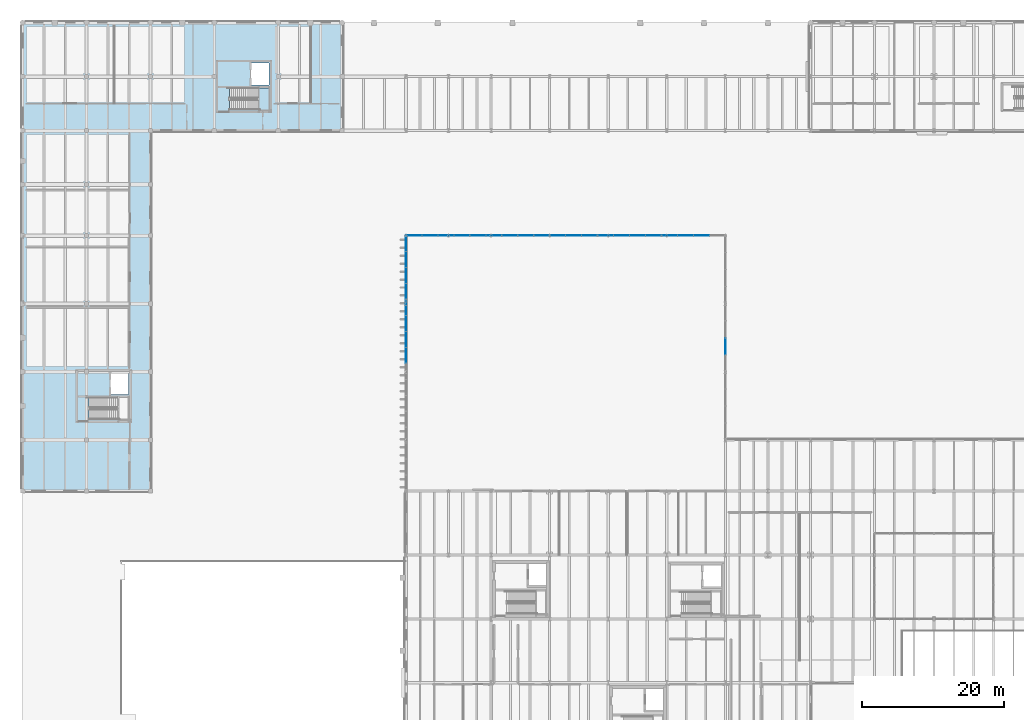
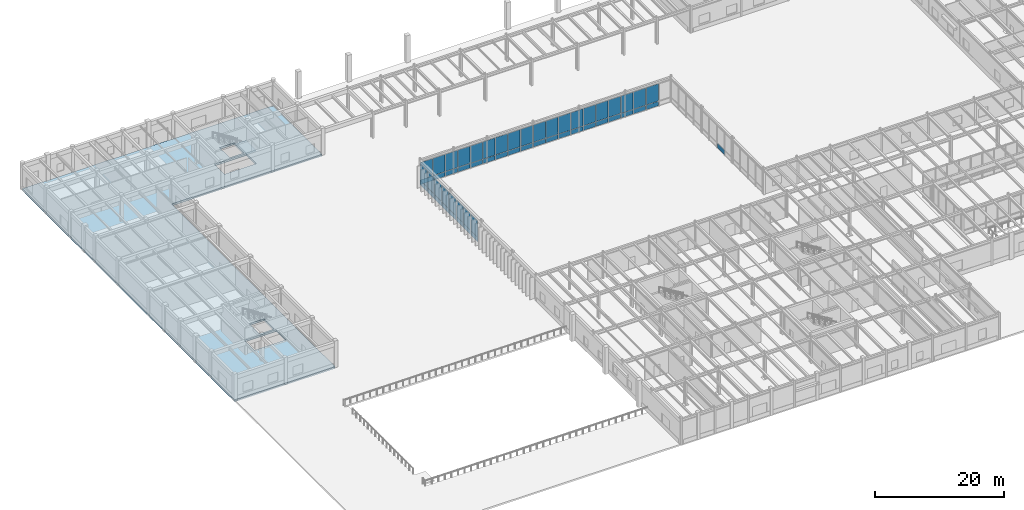
# One storey, part 35 of 64: 55 plates, 2 slabs, 4 openings, 9 elements without a shape of their own.
"""IFC4 building model written with IfcOpenShell, lengths in metres."""

from ifc_helpers import new_model, si_unit, direction, frame, origin, origin_2d, place, context, subcontext, project, spatial, polyline, rectangle, outline, extrude, material, layer, layer_set, type_object, element, aggregate, save


model = new_model("IFC4")

# Units and contexts
model_context = context("Model", 3, precision=1e-05, world=origin(), true_north=direction((0.0, 1.0)))
body_context = subcontext(model_context, "Body", "Model", "MODEL_VIEW")
ifc_project = project(units=[si_unit("LENGTHUNIT", "METRE"), si_unit("AREAUNIT", "SQUARE_METRE"), si_unit("VOLUMEUNIT", "CUBIC_METRE"), si_unit("PLANEANGLEUNIT", "RADIAN"), si_unit("MASSUNIT", "GRAM", prefix="KILO")], contexts=[model_context])

# Site, building, storey
site_placement = place(None, origin())
site = spatial("IfcSite", under=ifc_project, at=site_placement, CompositionType="ELEMENT")
building_placement = place(site_placement, origin())
building = spatial("IfcBuilding", under=site, at=building_placement, Name="Montealbar Specialist Clinic", CompositionType="ELEMENT")
storey_placement = place(building_placement, origin())
storey = spatial("IfcBuildingStorey", under=building, at=storey_placement, Name="L00", CompositionType="ELEMENT", Elevation=0.0)

# Curtain wall, plates
ifc_material_1 = material(Name="Low-E double glazing", Category="glass")
ifc_layer_1 = layer(ifc_material_1, 0.199951171875, Name="Low-E double glazing", Category="glass")
ifc_layer_set_1 = layer_set([ifc_layer_1], Name="Low-E double glazing")
curtain_wall_type_1 = type_object("IfcCurtainWallType", Name="CW-TYPE-01", PredefinedType="NOTDEFINED", material=ifc_layer_set_1)
curtain_wall_1_placement = place(storey_placement, origin())
curtain_wall_1 = element("IfcCurtainWall", 1, at=curtain_wall_1_placement, inside=storey, type_object=curtain_wall_type_1, Name="Unitised Curtain Wall CW-L00-540-630-540-720-0", PredefinedType="NOTDEFINED")
ifc_layer_2 = layer(ifc_material_1, 0.048095703125, Name="Low-E double glazing", Category="glass")
ifc_layer_set_2 = layer_set([ifc_layer_2], Name="Low-E double glazing")
plate_type = type_object("IfcPlateType", Name="CW-PNL-IGU48", PredefinedType="CURTAIN_PANEL", material=ifc_layer_set_2)
plate_1_placement = place(storey_placement, frame((54.0, 64.125, 0.070068359375), z_axis=(0.0, 0.0, 1.0), x_axis=(0.0, 1.0, 0.0)))
plate_1 = element("IfcPlate", 2, at=plate_1_placement, type_object=plate_type, Name="Glazed Curtain Panel CW-L00-540-630-540-720-0-1-1", PredefinedType="CURTAIN_PANEL", context=body_context, shape_type="SweptSolid", body=[
    extrude(rectangle(XDim=2.154052734375, YDim=0.048095703125, at=origin_2d()), origin(), (0.0, 0.0, 1.0), 0.85009765625),
])
plate_2_placement = place(storey_placement, frame((54.0, 64.125, 0.97998046875), z_axis=(0.0, 0.0, 1.0), x_axis=(0.0, 1.0, 0.0)))
plate_2 = element("IfcPlate", 3, at=plate_2_placement, type_object=plate_type, Name="Glazed Curtain Panel CW-L00-540-630-540-720-0-1-2", PredefinedType="CURTAIN_PANEL", context=body_context, shape_type="SweptSolid", body=[
    extrude(rectangle(XDim=2.154052734375, YDim=0.048095703125, at=origin_2d()), origin(), (0.0, 0.0, 1.0), 3.110107421875),
])
plate_3_placement = place(storey_placement, frame((54.0, 66.375, 0.070068359375), z_axis=(0.0, 0.0, 1.0), x_axis=(0.0, 1.0, 0.0)))
plate_3 = element("IfcPlate", 4, at=plate_3_placement, type_object=plate_type, Name="Glazed Curtain Panel CW-L00-540-630-540-720-0-2-1", PredefinedType="CURTAIN_PANEL", context=body_context, shape_type="SweptSolid", body=[
    extrude(rectangle(XDim=2.154052734375, YDim=0.048095703125, at=origin_2d()), origin(), (0.0, 0.0, 1.0), 0.85009765625),
])
plate_4_placement = place(storey_placement, frame((54.0, 66.375, 0.97998046875), z_axis=(0.0, 0.0, 1.0), x_axis=(0.0, 1.0, 0.0)))
plate_4 = element("IfcPlate", 5, at=plate_4_placement, type_object=plate_type, Name="Glazed Curtain Panel CW-L00-540-630-540-720-0-2-2", PredefinedType="CURTAIN_PANEL", context=body_context, shape_type="SweptSolid", body=[
    extrude(rectangle(XDim=2.154052734375, YDim=0.048095703125, at=origin_2d()), origin(), (0.0, 0.0, 1.0), 3.110107421875),
])
plate_5_placement = place(storey_placement, frame((54.0, 68.625, 0.070068359375), z_axis=(0.0, 0.0, 1.0), x_axis=(0.0, 1.0, 0.0)))
plate_5 = element("IfcPlate", 6, at=plate_5_placement, type_object=plate_type, Name="Glazed Curtain Panel CW-L00-540-630-540-720-0-3-1", PredefinedType="CURTAIN_PANEL", context=body_context, shape_type="SweptSolid", body=[
    extrude(rectangle(XDim=2.154052734375, YDim=0.048095703125, at=origin_2d()), origin(), (0.0, 0.0, 1.0), 0.85009765625),
])
plate_6_placement = place(storey_placement, frame((54.0, 68.625, 0.97998046875), z_axis=(0.0, 0.0, 1.0), x_axis=(0.0, 1.0, 0.0)))
plate_6 = element("IfcPlate", 7, at=plate_6_placement, type_object=plate_type, Name="Glazed Curtain Panel CW-L00-540-630-540-720-0-3-2", PredefinedType="CURTAIN_PANEL", context=body_context, shape_type="SweptSolid", body=[
    extrude(rectangle(XDim=2.154052734375, YDim=0.048095703125, at=origin_2d()), origin(), (0.0, 0.0, 1.0), 3.110107421875),
])
plate_7_placement = place(storey_placement, frame((54.0, 70.875, 0.070068359375), z_axis=(0.0, 0.0, 1.0), x_axis=(0.0, 1.0, 0.0)))
plate_7 = element("IfcPlate", 8, at=plate_7_placement, type_object=plate_type, Name="Glazed Curtain Panel CW-L00-540-630-540-720-0-4-1", PredefinedType="CURTAIN_PANEL", context=body_context, shape_type="SweptSolid", body=[
    extrude(rectangle(XDim=2.154052734375, YDim=0.048095703125, at=origin_2d()), origin(), (0.0, 0.0, 1.0), 0.85009765625),
])
plate_8_placement = place(storey_placement, frame((54.0, 70.875, 0.97998046875), z_axis=(0.0, 0.0, 1.0), x_axis=(0.0, 1.0, 0.0)))
plate_8 = element("IfcPlate", 9, at=plate_8_placement, type_object=plate_type, Name="Glazed Curtain Panel CW-L00-540-630-540-720-0-4-2", PredefinedType="CURTAIN_PANEL", context=body_context, shape_type="SweptSolid", body=[
    extrude(rectangle(XDim=2.154052734375, YDim=0.048095703125, at=origin_2d()), origin(), (0.0, 0.0, 1.0), 3.110107421875),
])
aggregate(curtain_wall_1, [plate_1, plate_2, plate_3, plate_4, plate_5, plate_6, plate_7, plate_8])

curtain_wall_2_placement = place(storey_placement, origin())
curtain_wall_2 = element("IfcCurtainWall", 10, at=curtain_wall_2_placement, inside=storey, type_object=curtain_wall_type_1, Name="Unitised Curtain Wall CW-L00-540-720-540-810-0", PredefinedType="NOTDEFINED")
plate_9_placement = place(storey_placement, frame((54.0, 73.125, 0.070068359375), z_axis=(0.0, 0.0, 1.0), x_axis=(0.0, 1.0, 0.0)))
plate_9 = element("IfcPlate", 11, at=plate_9_placement, type_object=plate_type, Name="Glazed Curtain Panel CW-L00-540-720-540-810-0-1-1", PredefinedType="CURTAIN_PANEL", context=body_context, shape_type="SweptSolid", body=[
    extrude(rectangle(XDim=2.154052734375, YDim=0.048095703125, at=origin_2d()), origin(), (0.0, 0.0, 1.0), 0.85009765625),
])
plate_10_placement = place(storey_placement, frame((54.0, 73.125, 0.97998046875), z_axis=(0.0, 0.0, 1.0), x_axis=(0.0, 1.0, 0.0)))
plate_10 = element("IfcPlate", 12, at=plate_10_placement, type_object=plate_type, Name="Glazed Curtain Panel CW-L00-540-720-540-810-0-1-2", PredefinedType="CURTAIN_PANEL", context=body_context, shape_type="SweptSolid", body=[
    extrude(rectangle(XDim=2.154052734375, YDim=0.048095703125, at=origin_2d()), origin(), (0.0, 0.0, 1.0), 3.110107421875),
])
plate_11_placement = place(storey_placement, frame((54.0, 75.375, 0.070068359375), z_axis=(0.0, 0.0, 1.0), x_axis=(0.0, 1.0, 0.0)))
plate_11 = element("IfcPlate", 13, at=plate_11_placement, type_object=plate_type, Name="Glazed Curtain Panel CW-L00-540-720-540-810-0-2-1", PredefinedType="CURTAIN_PANEL", context=body_context, shape_type="SweptSolid", body=[
    extrude(rectangle(XDim=2.154052734375, YDim=0.048095703125, at=origin_2d()), origin(), (0.0, 0.0, 1.0), 0.85009765625),
])
plate_12_placement = place(storey_placement, frame((54.0, 75.375, 0.97998046875), z_axis=(0.0, 0.0, 1.0), x_axis=(0.0, 1.0, 0.0)))
plate_12 = element("IfcPlate", 14, at=plate_12_placement, type_object=plate_type, Name="Glazed Curtain Panel CW-L00-540-720-540-810-0-2-2", PredefinedType="CURTAIN_PANEL", context=body_context, shape_type="SweptSolid", body=[
    extrude(rectangle(XDim=2.154052734375, YDim=0.048095703125, at=origin_2d()), origin(), (0.0, 0.0, 1.0), 3.110107421875),
])
plate_13_placement = place(storey_placement, frame((54.0, 77.625, 0.070068359375), z_axis=(0.0, 0.0, 1.0), x_axis=(0.0, 1.0, 0.0)))
plate_13 = element("IfcPlate", 15, at=plate_13_placement, type_object=plate_type, Name="Glazed Curtain Panel CW-L00-540-720-540-810-0-3-1", PredefinedType="CURTAIN_PANEL", context=body_context, shape_type="SweptSolid", body=[
    extrude(rectangle(XDim=2.154052734375, YDim=0.048095703125, at=origin_2d()), origin(), (0.0, 0.0, 1.0), 0.85009765625),
])
plate_14_placement = place(storey_placement, frame((54.0, 77.625, 0.97998046875), z_axis=(0.0, 0.0, 1.0), x_axis=(0.0, 1.0, 0.0)))
plate_14 = element("IfcPlate", 16, at=plate_14_placement, type_object=plate_type, Name="Glazed Curtain Panel CW-L00-540-720-540-810-0-3-2", PredefinedType="CURTAIN_PANEL", context=body_context, shape_type="SweptSolid", body=[
    extrude(rectangle(XDim=2.154052734375, YDim=0.048095703125, at=origin_2d()), origin(), (0.0, 0.0, 1.0), 3.110107421875),
])
plate_15_placement = place(storey_placement, frame((54.0, 79.875, 0.070068359375), z_axis=(0.0, 0.0, 1.0), x_axis=(0.0, 1.0, 0.0)))
plate_15 = element("IfcPlate", 17, at=plate_15_placement, type_object=plate_type, Name="Glazed Curtain Panel CW-L00-540-720-540-810-0-4-1", PredefinedType="CURTAIN_PANEL", context=body_context, shape_type="SweptSolid", body=[
    extrude(rectangle(XDim=2.154052734375, YDim=0.048095703125, at=origin_2d()), origin(), (0.0, 0.0, 1.0), 0.85009765625),
])
plate_16_placement = place(storey_placement, frame((54.0, 79.875, 0.97998046875), z_axis=(0.0, 0.0, 1.0), x_axis=(0.0, 1.0, 0.0)))
plate_16 = element("IfcPlate", 18, at=plate_16_placement, type_object=plate_type, Name="Glazed Curtain Panel CW-L00-540-720-540-810-0-4-2", PredefinedType="CURTAIN_PANEL", context=body_context, shape_type="SweptSolid", body=[
    extrude(rectangle(XDim=2.154052734375, YDim=0.048095703125, at=origin_2d()), origin(), (0.0, 0.0, 1.0), 3.110107421875),
])
aggregate(curtain_wall_2, [plate_9, plate_10, plate_11, plate_12, plate_13, plate_14, plate_15, plate_16])

ifc_layer_3 = layer(ifc_material_1, 0.199951171875, Name="Low-E double glazing", Category="glass")
ifc_layer_set_3 = layer_set([ifc_layer_3], Name="Low-E double glazing")
curtain_wall_type_2 = type_object("IfcCurtainWallType", Name="CW-TYPE-02", PredefinedType="NOTDEFINED", material=ifc_layer_set_3)
curtain_wall_3_placement = place(storey_placement, origin())
curtain_wall_3 = element("IfcCurtainWall", 19, at=curtain_wall_3_placement, inside=storey, type_object=curtain_wall_type_2, Name="Unitised Curtain Wall CW-L00-540-810-630-810-0", PredefinedType="NOTDEFINED")
plate_17_placement = place(storey_placement, frame((55.125, 81.0, 0.070068359375), z_axis=(0.0, 0.0, 1.0), x_axis=(1.0, 0.0, 0.0)))
plate_17 = element("IfcPlate", 20, at=plate_17_placement, type_object=plate_type, Name="Glazed Curtain Panel CW-L00-540-810-630-810-0-1-1", PredefinedType="CURTAIN_PANEL", context=body_context, shape_type="SweptSolid", body=[
    extrude(rectangle(XDim=2.154052734375, YDim=0.048095703125, at=origin_2d()), origin(), (0.0, 0.0, 1.0), 0.85009765625),
])
plate_18_placement = place(storey_placement, frame((55.125, 81.0, 0.97998046875), z_axis=(0.0, 0.0, 1.0), x_axis=(1.0, 0.0, 0.0)))
plate_18 = element("IfcPlate", 21, at=plate_18_placement, type_object=plate_type, Name="Glazed Curtain Panel CW-L00-540-810-630-810-0-1-2", PredefinedType="CURTAIN_PANEL", context=body_context, shape_type="SweptSolid", body=[
    extrude(rectangle(XDim=2.154052734375, YDim=0.048095703125, at=origin_2d()), origin(), (0.0, 0.0, 1.0), 3.260009765625),
])
plate_19_placement = place(storey_placement, frame((57.375, 81.0, 0.070068359375), z_axis=(0.0, 0.0, 1.0), x_axis=(1.0, 0.0, 0.0)))
plate_19 = element("IfcPlate", 22, at=plate_19_placement, type_object=plate_type, Name="Glazed Curtain Panel CW-L00-540-810-630-810-0-2-1", PredefinedType="CURTAIN_PANEL", context=body_context, shape_type="SweptSolid", body=[
    extrude(rectangle(XDim=2.154052734375, YDim=0.048095703125, at=origin_2d()), origin(), (0.0, 0.0, 1.0), 0.85009765625),
])
plate_20_placement = place(storey_placement, frame((57.375, 81.0, 0.97998046875), z_axis=(0.0, 0.0, 1.0), x_axis=(1.0, 0.0, 0.0)))
plate_20 = element("IfcPlate", 23, at=plate_20_placement, type_object=plate_type, Name="Glazed Curtain Panel CW-L00-540-810-630-810-0-2-2", PredefinedType="CURTAIN_PANEL", context=body_context, shape_type="SweptSolid", body=[
    extrude(rectangle(XDim=2.154052734375, YDim=0.048095703125, at=origin_2d()), origin(), (0.0, 0.0, 1.0), 3.260009765625),
])
plate_21_placement = place(storey_placement, frame((59.625, 81.0, 0.070068359375), z_axis=(0.0, 0.0, 1.0), x_axis=(1.0, 0.0, 0.0)))
plate_21 = element("IfcPlate", 24, at=plate_21_placement, type_object=plate_type, Name="Glazed Curtain Panel CW-L00-540-810-630-810-0-3-1", PredefinedType="CURTAIN_PANEL", context=body_context, shape_type="SweptSolid", body=[
    extrude(rectangle(XDim=2.154052734375, YDim=0.048095703125, at=origin_2d()), origin(), (0.0, 0.0, 1.0), 0.85009765625),
])
plate_22_placement = place(storey_placement, frame((59.625, 81.0, 0.97998046875), z_axis=(0.0, 0.0, 1.0), x_axis=(1.0, 0.0, 0.0)))
plate_22 = element("IfcPlate", 25, at=plate_22_placement, type_object=plate_type, Name="Glazed Curtain Panel CW-L00-540-810-630-810-0-3-2", PredefinedType="CURTAIN_PANEL", context=body_context, shape_type="SweptSolid", body=[
    extrude(rectangle(XDim=2.154052734375, YDim=0.048095703125, at=origin_2d()), origin(), (0.0, 0.0, 1.0), 3.260009765625),
])
plate_23_placement = place(storey_placement, frame((61.875, 81.0, 0.070068359375), z_axis=(0.0, 0.0, 1.0), x_axis=(1.0, 0.0, 0.0)))
plate_23 = element("IfcPlate", 26, at=plate_23_placement, type_object=plate_type, Name="Glazed Curtain Panel CW-L00-540-810-630-810-0-4-1", PredefinedType="CURTAIN_PANEL", context=body_context, shape_type="SweptSolid", body=[
    extrude(rectangle(XDim=2.154052734375, YDim=0.048095703125, at=origin_2d()), origin(), (0.0, 0.0, 1.0), 0.85009765625),
])
plate_24_placement = place(storey_placement, frame((61.875, 81.0, 0.97998046875), z_axis=(0.0, 0.0, 1.0), x_axis=(1.0, 0.0, 0.0)))
plate_24 = element("IfcPlate", 27, at=plate_24_placement, type_object=plate_type, Name="Glazed Curtain Panel CW-L00-540-810-630-810-0-4-2", PredefinedType="CURTAIN_PANEL", context=body_context, shape_type="SweptSolid", body=[
    extrude(rectangle(XDim=2.154052734375, YDim=0.048095703125, at=origin_2d()), origin(), (0.0, 0.0, 1.0), 3.260009765625),
])
aggregate(curtain_wall_3, [plate_17, plate_18, plate_19, plate_20, plate_21, plate_22, plate_23, plate_24])

curtain_wall_4_placement = place(storey_placement, origin())
curtain_wall_4 = element("IfcCurtainWall", 28, at=curtain_wall_4_placement, inside=storey, type_object=curtain_wall_type_2, Name="Unitised Curtain Wall CW-L00-630-810-720-810-0", PredefinedType="NOTDEFINED")
plate_25_placement = place(storey_placement, frame((64.125, 81.0, 0.070068359375), z_axis=(0.0, 0.0, 1.0), x_axis=(1.0, 0.0, 0.0)))
plate_25 = element("IfcPlate", 29, at=plate_25_placement, type_object=plate_type, Name="Glazed Curtain Panel CW-L00-630-810-720-810-0-1-1", PredefinedType="CURTAIN_PANEL", context=body_context, shape_type="SweptSolid", body=[
    extrude(rectangle(XDim=2.154052734375, YDim=0.048095703125, at=origin_2d()), origin(), (0.0, 0.0, 1.0), 0.85009765625),
])
plate_26_placement = place(storey_placement, frame((64.125, 81.0, 0.97998046875), z_axis=(0.0, 0.0, 1.0), x_axis=(1.0, 0.0, 0.0)))
plate_26 = element("IfcPlate", 30, at=plate_26_placement, type_object=plate_type, Name="Glazed Curtain Panel CW-L00-630-810-720-810-0-1-2", PredefinedType="CURTAIN_PANEL", context=body_context, shape_type="SweptSolid", body=[
    extrude(rectangle(XDim=2.154052734375, YDim=0.048095703125, at=origin_2d()), origin(), (0.0, 0.0, 1.0), 3.260009765625),
])
plate_27_placement = place(storey_placement, frame((66.375, 81.0, 0.070068359375), z_axis=(0.0, 0.0, 1.0), x_axis=(1.0, 0.0, 0.0)))
plate_27 = element("IfcPlate", 31, at=plate_27_placement, type_object=plate_type, Name="Glazed Curtain Panel CW-L00-630-810-720-810-0-2-1", PredefinedType="CURTAIN_PANEL", context=body_context, shape_type="SweptSolid", body=[
    extrude(rectangle(XDim=2.154052734375, YDim=0.048095703125, at=origin_2d()), origin(), (0.0, 0.0, 1.0), 0.85009765625),
])
plate_28_placement = place(storey_placement, frame((66.375, 81.0, 0.97998046875), z_axis=(0.0, 0.0, 1.0), x_axis=(1.0, 0.0, 0.0)))
plate_28 = element("IfcPlate", 32, at=plate_28_placement, type_object=plate_type, Name="Glazed Curtain Panel CW-L00-630-810-720-810-0-2-2", PredefinedType="CURTAIN_PANEL", context=body_context, shape_type="SweptSolid", body=[
    extrude(rectangle(XDim=2.154052734375, YDim=0.048095703125, at=origin_2d()), origin(), (0.0, 0.0, 1.0), 3.260009765625),
])
plate_29_placement = place(storey_placement, frame((68.625, 81.0, 0.070068359375), z_axis=(0.0, 0.0, 1.0), x_axis=(1.0, 0.0, 0.0)))
plate_29 = element("IfcPlate", 33, at=plate_29_placement, type_object=plate_type, Name="Glazed Curtain Panel CW-L00-630-810-720-810-0-3-1", PredefinedType="CURTAIN_PANEL", context=body_context, shape_type="SweptSolid", body=[
    extrude(rectangle(XDim=2.154052734375, YDim=0.048095703125, at=origin_2d()), origin(), (0.0, 0.0, 1.0), 0.85009765625),
])
plate_30_placement = place(storey_placement, frame((68.625, 81.0, 0.97998046875), z_axis=(0.0, 0.0, 1.0), x_axis=(1.0, 0.0, 0.0)))
plate_30 = element("IfcPlate", 34, at=plate_30_placement, type_object=plate_type, Name="Glazed Curtain Panel CW-L00-630-810-720-810-0-3-2", PredefinedType="CURTAIN_PANEL", context=body_context, shape_type="SweptSolid", body=[
    extrude(rectangle(XDim=2.154052734375, YDim=0.048095703125, at=origin_2d()), origin(), (0.0, 0.0, 1.0), 3.260009765625),
])
plate_31_placement = place(storey_placement, frame((70.875, 81.0, 0.070068359375), z_axis=(0.0, 0.0, 1.0), x_axis=(1.0, 0.0, 0.0)))
plate_31 = element("IfcPlate", 35, at=plate_31_placement, type_object=plate_type, Name="Glazed Curtain Panel CW-L00-630-810-720-810-0-4-1", PredefinedType="CURTAIN_PANEL", context=body_context, shape_type="SweptSolid", body=[
    extrude(rectangle(XDim=2.154052734375, YDim=0.048095703125, at=origin_2d()), origin(), (0.0, 0.0, 1.0), 0.85009765625),
])
plate_32_placement = place(storey_placement, frame((70.875, 81.0, 0.97998046875), z_axis=(0.0, 0.0, 1.0), x_axis=(1.0, 0.0, 0.0)))
plate_32 = element("IfcPlate", 36, at=plate_32_placement, type_object=plate_type, Name="Glazed Curtain Panel CW-L00-630-810-720-810-0-4-2", PredefinedType="CURTAIN_PANEL", context=body_context, shape_type="SweptSolid", body=[
    extrude(rectangle(XDim=2.154052734375, YDim=0.048095703125, at=origin_2d()), origin(), (0.0, 0.0, 1.0), 3.260009765625),
])
aggregate(curtain_wall_4, [plate_25, plate_26, plate_27, plate_28, plate_29, plate_30, plate_31, plate_32])

curtain_wall_5_placement = place(storey_placement, origin())
curtain_wall_5 = element("IfcCurtainWall", 37, at=curtain_wall_5_placement, inside=storey, type_object=curtain_wall_type_2, Name="Unitised Curtain Wall CW-L00-720-810-810-810-0", PredefinedType="NOTDEFINED")
plate_33_placement = place(storey_placement, frame((73.125, 81.0, 0.070068359375), z_axis=(0.0, 0.0, 1.0), x_axis=(1.0, 0.0, 0.0)))
plate_33 = element("IfcPlate", 38, at=plate_33_placement, type_object=plate_type, Name="Glazed Curtain Panel CW-L00-720-810-810-810-0-1-1", PredefinedType="CURTAIN_PANEL", context=body_context, shape_type="SweptSolid", body=[
    extrude(rectangle(XDim=2.154052734375, YDim=0.048095703125, at=origin_2d()), origin(), (0.0, 0.0, 1.0), 0.85009765625),
])
plate_34_placement = place(storey_placement, frame((73.125, 81.0, 0.97998046875), z_axis=(0.0, 0.0, 1.0), x_axis=(1.0, 0.0, 0.0)))
plate_34 = element("IfcPlate", 39, at=plate_34_placement, type_object=plate_type, Name="Glazed Curtain Panel CW-L00-720-810-810-810-0-1-2", PredefinedType="CURTAIN_PANEL", context=body_context, shape_type="SweptSolid", body=[
    extrude(rectangle(XDim=2.154052734375, YDim=0.048095703125, at=origin_2d()), origin(), (0.0, 0.0, 1.0), 3.260009765625),
])
plate_35_placement = place(storey_placement, frame((75.375, 81.0, 0.070068359375), z_axis=(0.0, 0.0, 1.0), x_axis=(1.0, 0.0, 0.0)))
plate_35 = element("IfcPlate", 40, at=plate_35_placement, type_object=plate_type, Name="Glazed Curtain Panel CW-L00-720-810-810-810-0-2-1", PredefinedType="CURTAIN_PANEL", context=body_context, shape_type="SweptSolid", body=[
    extrude(rectangle(XDim=2.154052734375, YDim=0.048095703125, at=origin_2d()), origin(), (0.0, 0.0, 1.0), 0.85009765625),
])
plate_36_placement = place(storey_placement, frame((75.375, 81.0, 0.97998046875), z_axis=(0.0, 0.0, 1.0), x_axis=(1.0, 0.0, 0.0)))
plate_36 = element("IfcPlate", 41, at=plate_36_placement, type_object=plate_type, Name="Glazed Curtain Panel CW-L00-720-810-810-810-0-2-2", PredefinedType="CURTAIN_PANEL", context=body_context, shape_type="SweptSolid", body=[
    extrude(rectangle(XDim=2.154052734375, YDim=0.048095703125, at=origin_2d()), origin(), (0.0, 0.0, 1.0), 3.260009765625),
])
plate_37_placement = place(storey_placement, frame((77.625, 81.0, 0.070068359375), z_axis=(0.0, 0.0, 1.0), x_axis=(1.0, 0.0, 0.0)))
plate_37 = element("IfcPlate", 42, at=plate_37_placement, type_object=plate_type, Name="Glazed Curtain Panel CW-L00-720-810-810-810-0-3-1", PredefinedType="CURTAIN_PANEL", context=body_context, shape_type="SweptSolid", body=[
    extrude(rectangle(XDim=2.154052734375, YDim=0.048095703125, at=origin_2d()), origin(), (0.0, 0.0, 1.0), 0.85009765625),
])
plate_38_placement = place(storey_placement, frame((77.625, 81.0, 0.97998046875), z_axis=(0.0, 0.0, 1.0), x_axis=(1.0, 0.0, 0.0)))
plate_38 = element("IfcPlate", 43, at=plate_38_placement, type_object=plate_type, Name="Glazed Curtain Panel CW-L00-720-810-810-810-0-3-2", PredefinedType="CURTAIN_PANEL", context=body_context, shape_type="SweptSolid", body=[
    extrude(rectangle(XDim=2.154052734375, YDim=0.048095703125, at=origin_2d()), origin(), (0.0, 0.0, 1.0), 3.260009765625),
])
plate_39_placement = place(storey_placement, frame((79.875, 81.0, 0.070068359375), z_axis=(0.0, 0.0, 1.0), x_axis=(1.0, 0.0, 0.0)))
plate_39 = element("IfcPlate", 44, at=plate_39_placement, type_object=plate_type, Name="Glazed Curtain Panel CW-L00-720-810-810-810-0-4-1", PredefinedType="CURTAIN_PANEL", context=body_context, shape_type="SweptSolid", body=[
    extrude(rectangle(XDim=2.154052734375, YDim=0.048095703125, at=origin_2d()), origin(), (0.0, 0.0, 1.0), 0.85009765625),
])
plate_40_placement = place(storey_placement, frame((79.875, 81.0, 0.97998046875), z_axis=(0.0, 0.0, 1.0), x_axis=(1.0, 0.0, 0.0)))
plate_40 = element("IfcPlate", 45, at=plate_40_placement, type_object=plate_type, Name="Glazed Curtain Panel CW-L00-720-810-810-810-0-4-2", PredefinedType="CURTAIN_PANEL", context=body_context, shape_type="SweptSolid", body=[
    extrude(rectangle(XDim=2.154052734375, YDim=0.048095703125, at=origin_2d()), origin(), (0.0, 0.0, 1.0), 3.260009765625),
])
aggregate(curtain_wall_5, [plate_33, plate_34, plate_35, plate_36, plate_37, plate_38, plate_39, plate_40])

curtain_wall_6_placement = place(storey_placement, origin())
curtain_wall_6 = element("IfcCurtainWall", 46, at=curtain_wall_6_placement, inside=storey, type_object=curtain_wall_type_2, Name="Unitised Curtain Wall CW-L00-810-810-900-810-0", PredefinedType="NOTDEFINED")
plate_41_placement = place(storey_placement, frame((82.125, 81.0, 0.070068359375), z_axis=(0.0, 0.0, 1.0), x_axis=(1.0, 0.0, 0.0)))
plate_41 = element("IfcPlate", 47, at=plate_41_placement, type_object=plate_type, Name="Glazed Curtain Panel CW-L00-810-810-900-810-0-1-1", PredefinedType="CURTAIN_PANEL", context=body_context, shape_type="SweptSolid", body=[
    extrude(rectangle(XDim=2.154052734375, YDim=0.048095703125, at=origin_2d()), origin(), (0.0, 0.0, 1.0), 0.85009765625),
])
plate_42_placement = place(storey_placement, frame((82.125, 81.0, 0.97998046875), z_axis=(0.0, 0.0, 1.0), x_axis=(1.0, 0.0, 0.0)))
plate_42 = element("IfcPlate", 48, at=plate_42_placement, type_object=plate_type, Name="Glazed Curtain Panel CW-L00-810-810-900-810-0-1-2", PredefinedType="CURTAIN_PANEL", context=body_context, shape_type="SweptSolid", body=[
    extrude(rectangle(XDim=2.154052734375, YDim=0.048095703125, at=origin_2d()), origin(), (0.0, 0.0, 1.0), 3.260009765625),
])
plate_43_placement = place(storey_placement, frame((84.375, 81.0, 0.070068359375), z_axis=(0.0, 0.0, 1.0), x_axis=(1.0, 0.0, 0.0)))
plate_43 = element("IfcPlate", 49, at=plate_43_placement, type_object=plate_type, Name="Glazed Curtain Panel CW-L00-810-810-900-810-0-2-1", PredefinedType="CURTAIN_PANEL", context=body_context, shape_type="SweptSolid", body=[
    extrude(rectangle(XDim=2.154052734375, YDim=0.048095703125, at=origin_2d()), origin(), (0.0, 0.0, 1.0), 0.85009765625),
])
plate_44_placement = place(storey_placement, frame((84.375, 81.0, 0.97998046875), z_axis=(0.0, 0.0, 1.0), x_axis=(1.0, 0.0, 0.0)))
plate_44 = element("IfcPlate", 50, at=plate_44_placement, type_object=plate_type, Name="Glazed Curtain Panel CW-L00-810-810-900-810-0-2-2", PredefinedType="CURTAIN_PANEL", context=body_context, shape_type="SweptSolid", body=[
    extrude(rectangle(XDim=2.154052734375, YDim=0.048095703125, at=origin_2d()), origin(), (0.0, 0.0, 1.0), 3.260009765625),
])
plate_45_placement = place(storey_placement, frame((86.625, 81.0, 0.070068359375), z_axis=(0.0, 0.0, 1.0), x_axis=(1.0, 0.0, 0.0)))
plate_45 = element("IfcPlate", 51, at=plate_45_placement, type_object=plate_type, Name="Glazed Curtain Panel CW-L00-810-810-900-810-0-3-1", PredefinedType="CURTAIN_PANEL", context=body_context, shape_type="SweptSolid", body=[
    extrude(rectangle(XDim=2.154052734375, YDim=0.048095703125, at=origin_2d()), origin(), (0.0, 0.0, 1.0), 0.85009765625),
])
plate_46_placement = place(storey_placement, frame((86.625, 81.0, 0.97998046875), z_axis=(0.0, 0.0, 1.0), x_axis=(1.0, 0.0, 0.0)))
plate_46 = element("IfcPlate", 52, at=plate_46_placement, type_object=plate_type, Name="Glazed Curtain Panel CW-L00-810-810-900-810-0-3-2", PredefinedType="CURTAIN_PANEL", context=body_context, shape_type="SweptSolid", body=[
    extrude(rectangle(XDim=2.154052734375, YDim=0.048095703125, at=origin_2d()), origin(), (0.0, 0.0, 1.0), 3.260009765625),
])
plate_47_placement = place(storey_placement, frame((88.875, 81.0, 0.070068359375), z_axis=(0.0, 0.0, 1.0), x_axis=(1.0, 0.0, 0.0)))
plate_47 = element("IfcPlate", 53, at=plate_47_placement, type_object=plate_type, Name="Glazed Curtain Panel CW-L00-810-810-900-810-0-4-1", PredefinedType="CURTAIN_PANEL", context=body_context, shape_type="SweptSolid", body=[
    extrude(rectangle(XDim=2.154052734375, YDim=0.048095703125, at=origin_2d()), origin(), (0.0, 0.0, 1.0), 0.85009765625),
])
plate_48_placement = place(storey_placement, frame((88.875, 81.0, 0.97998046875), z_axis=(0.0, 0.0, 1.0), x_axis=(1.0, 0.0, 0.0)))
plate_48 = element("IfcPlate", 54, at=plate_48_placement, type_object=plate_type, Name="Glazed Curtain Panel CW-L00-810-810-900-810-0-4-2", PredefinedType="CURTAIN_PANEL", context=body_context, shape_type="SweptSolid", body=[
    extrude(rectangle(XDim=2.154052734375, YDim=0.048095703125, at=origin_2d()), origin(), (0.0, 0.0, 1.0), 3.260009765625),
])
aggregate(curtain_wall_6, [plate_41, plate_42, plate_43, plate_44, plate_45, plate_46, plate_47, plate_48])

curtain_wall_7_placement = place(storey_placement, origin())
curtain_wall_7 = element("IfcCurtainWall", 55, at=curtain_wall_7_placement, inside=storey, type_object=curtain_wall_type_2, Name="Unitised Curtain Wall CW-L00-900-810-990-810-0", PredefinedType="NOTDEFINED")
plate_49_placement = place(storey_placement, frame((91.125, 81.0, 0.070068359375), z_axis=(0.0, 0.0, 1.0), x_axis=(1.0, 0.0, 0.0)))
plate_49 = element("IfcPlate", 56, at=plate_49_placement, type_object=plate_type, Name="Glazed Curtain Panel CW-L00-900-810-990-810-0-1-1", PredefinedType="CURTAIN_PANEL", context=body_context, shape_type="SweptSolid", body=[
    extrude(rectangle(XDim=2.154052734375, YDim=0.048095703125, at=origin_2d()), origin(), (0.0, 0.0, 1.0), 0.85009765625),
])
plate_50_placement = place(storey_placement, frame((91.125, 81.0, 0.97998046875), z_axis=(0.0, 0.0, 1.0), x_axis=(1.0, 0.0, 0.0)))
plate_50 = element("IfcPlate", 57, at=plate_50_placement, type_object=plate_type, Name="Glazed Curtain Panel CW-L00-900-810-990-810-0-1-2", PredefinedType="CURTAIN_PANEL", context=body_context, shape_type="SweptSolid", body=[
    extrude(rectangle(XDim=2.154052734375, YDim=0.048095703125, at=origin_2d()), origin(), (0.0, 0.0, 1.0), 3.260009765625),
])
plate_51_placement = place(storey_placement, frame((93.375, 81.0, 0.070068359375), z_axis=(0.0, 0.0, 1.0), x_axis=(1.0, 0.0, 0.0)))
plate_51 = element("IfcPlate", 58, at=plate_51_placement, type_object=plate_type, Name="Glazed Curtain Panel CW-L00-900-810-990-810-0-2-1", PredefinedType="CURTAIN_PANEL", context=body_context, shape_type="SweptSolid", body=[
    extrude(rectangle(XDim=2.154052734375, YDim=0.048095703125, at=origin_2d()), origin(), (0.0, 0.0, 1.0), 0.85009765625),
])
plate_52_placement = place(storey_placement, frame((93.375, 81.0, 0.97998046875), z_axis=(0.0, 0.0, 1.0), x_axis=(1.0, 0.0, 0.0)))
plate_52 = element("IfcPlate", 59, at=plate_52_placement, type_object=plate_type, Name="Glazed Curtain Panel CW-L00-900-810-990-810-0-2-2", PredefinedType="CURTAIN_PANEL", context=body_context, shape_type="SweptSolid", body=[
    extrude(rectangle(XDim=2.154052734375, YDim=0.048095703125, at=origin_2d()), origin(), (0.0, 0.0, 1.0), 3.260009765625),
])
plate_53_placement = place(storey_placement, frame((95.625, 81.0, 0.070068359375), z_axis=(0.0, 0.0, 1.0), x_axis=(1.0, 0.0, 0.0)))
plate_53 = element("IfcPlate", 60, at=plate_53_placement, type_object=plate_type, Name="Glazed Curtain Panel CW-L00-900-810-990-810-0-3-1", PredefinedType="CURTAIN_PANEL", context=body_context, shape_type="SweptSolid", body=[
    extrude(rectangle(XDim=2.154052734375, YDim=0.048095703125, at=origin_2d()), origin(), (0.0, 0.0, 1.0), 0.85009765625),
])
plate_54_placement = place(storey_placement, frame((95.625, 81.0, 0.97998046875), z_axis=(0.0, 0.0, 1.0), x_axis=(1.0, 0.0, 0.0)))
plate_54 = element("IfcPlate", 61, at=plate_54_placement, type_object=plate_type, Name="Glazed Curtain Panel CW-L00-900-810-990-810-0-3-2", PredefinedType="CURTAIN_PANEL", context=body_context, shape_type="SweptSolid", body=[
    extrude(rectangle(XDim=2.154052734375, YDim=0.048095703125, at=origin_2d()), origin(), (0.0, 0.0, 1.0), 3.260009765625),
])
aggregate(curtain_wall_7, [plate_49, plate_50, plate_51, plate_52, plate_53, plate_54])

# Curtain wall, plate
ifc_layer_4 = layer(ifc_material_1, 0.199951171875, Name="Low-E double glazing", Category="glass")
ifc_layer_set_4 = layer_set([ifc_layer_4], Name="Low-E double glazing")
curtain_wall_type_3 = type_object("IfcCurtainWallType", Name="CW-TYPE-03", PredefinedType="NOTDEFINED", material=ifc_layer_set_4)
curtain_wall_8_placement = place(storey_placement, origin())
curtain_wall_8 = element("IfcCurtainWall", 62, at=curtain_wall_8_placement, inside=storey, type_object=curtain_wall_type_3, Name="Unitised Curtain Wall CW-L00-990-714-990-618-0", PredefinedType="NOTDEFINED")
plate_55_placement = place(storey_placement, frame((99.0, 65.39990234375, 0.070068359375), z_axis=(0.0, 0.0, 1.0), x_axis=(0.0, -1.0, 0.0)))
plate_55 = element("IfcPlate", 63, at=plate_55_placement, type_object=plate_type, Name="Glazed Curtain Panel CW-L00-990-714-990-618-0-3-1", PredefinedType="CURTAIN_PANEL", context=body_context, shape_type="SweptSolid", body=[
    extrude(rectangle(XDim=2.303955078125, YDim=0.048095703125, at=origin_2d()), origin(), (0.0, 0.0, 1.0), 0.85009765625),
])
aggregate(curtain_wall_8, [plate_55])

# Slab, openings
ifc_material_2 = material(Name="Concrete C35/45", Category="concrete")
ifc_layer_5 = layer(ifc_material_2, 0.360107421875, Name="Concrete C35/45", Category="concrete")
ifc_layer_set_5 = layer_set([ifc_layer_5], Name="Concrete C35/45")
slab_type_1 = type_object("IfcSlabType", Name="SL-FLR-350", PredefinedType="FLOOR", material=ifc_layer_set_5)
slab_1_placement = place(storey_placement, frame((0.0, 0.0, -0.360107421875)))
slab_1 = element("IfcSlab", 64, at=slab_1_placement, inside=storey, type_object=slab_type_1, Name="Structural Slab L00 Wing 2", PredefinedType="FLOOR", context=body_context, shape_type="SweptSolid", body=[
    extrude(outline(polyline([(0.0, 45.0), (0.0, 111.0), (45.0, 111.0), (45.0, 95.800048828125), (18.0, 95.800048828125), (18.0, 45.0), (0.0, 45.0)]), holes=[polyline([(15.050048828125, 58.199951171875), (9.35009765625, 58.199951171875), (9.35009765625, 55.10009765625), (15.050048828125, 55.10009765625), (15.050048828125, 58.199951171875)]), polyline([(14.902099609375, 61.701904296875), (12.298095703125, 61.701904296875), (12.298095703125, 58.597900390625), (14.902099609375, 58.597900390625), (14.902099609375, 61.701904296875)]), polyline([(34.85009765625, 101.800048828125), (29.14990234375, 101.800048828125), (29.14990234375, 98.699951171875), (34.85009765625, 98.699951171875), (34.85009765625, 101.800048828125)]), polyline([(34.701904296875, 105.302001953125), (32.097900390625, 105.302001953125), (32.097900390625, 102.197998046875), (34.701904296875, 102.197998046875), (34.701904296875, 105.302001953125)])]), origin(), (0.0, 0.0, 1.0), 0.360107421875),
])
opening_1_placement = place(slab_1_placement, frame((12.2001953125, 56.64990234375, -0.010009765625)))
element("IfcOpeningElement", 65, at=opening_1_placement, cuts=slab_1, Name="Opening STAIRVOID-C1-L00-1", PredefinedType="OPENING", context=body_context, shape_type="SweptSolid", body=[
    extrude(rectangle(XDim=5.696044921875, YDim=3.095947265625, at=origin_2d()), origin(), (0.0, 0.0, 1.0), 0.380126953125),
])
opening_2_placement = place(slab_1_placement, frame((13.60009765625, 60.14990234375, -0.010009765625)))
element("IfcOpeningElement", 66, at=opening_2_placement, cuts=slab_1, Name="Opening LIFTSHAFT-LF-01-L00", PredefinedType="OPENING", context=body_context, shape_type="SweptSolid", body=[
    extrude(rectangle(XDim=2.60009765625, YDim=3.10009765625, at=origin_2d()), origin(), (0.0, 0.0, 1.0), 0.380126953125),
])
opening_3_placement = place(slab_1_placement, frame((32.0, 100.25, -0.010009765625)))
element("IfcOpeningElement", 67, at=opening_3_placement, cuts=slab_1, Name="Opening STAIRVOID-C2-L00-1", PredefinedType="OPENING", context=body_context, shape_type="SweptSolid", body=[
    extrude(rectangle(XDim=5.6962890625, YDim=3.09619140625, at=origin_2d()), origin(), (0.0, 0.0, 1.0), 0.380126953125),
])
opening_4_placement = place(slab_1_placement, frame((33.39990234375, 103.75, -0.010009765625)))
element("IfcOpeningElement", 68, at=opening_4_placement, cuts=slab_1, Name="Opening LIFTSHAFT-LF-02-L00", PredefinedType="OPENING", context=body_context, shape_type="SweptSolid", body=[
    extrude(rectangle(XDim=2.60009765625, YDim=3.10009765625, at=origin_2d()), origin(), (0.0, 0.0, 1.0), 0.380126953125),
])

# Stair, slab
stair_type = type_object("IfcStairType", Name="STAIR-HT-02", PredefinedType="HALF_TURN_STAIR", material=ifc_material_2)
stair_placement = place(storey_placement, origin())
stair = element("IfcStair", 69, at=stair_placement, inside=storey, type_object=stair_type, Name="L00 Protected Exit Stair Core C2", PredefinedType="HALF_TURN_STAIR")
ifc_layer_6 = layer(ifc_material_2, 0.199951171875, Name="Concrete C35/45", Category="concrete")
ifc_layer_set_6 = layer_set([ifc_layer_6], Name="Concrete C35/45")
slab_type_2 = type_object("IfcSlabType", Name="SL-STAIR-LAND-200", PredefinedType="LANDING", material=ifc_layer_set_6)
slab_2_placement = place(storey_placement, frame((0.0, 0.0, 2.35009765625)))
slab_2 = element("IfcSlab", 70, at=slab_2_placement, type_object=slab_type_2, Name="ST-02 landing 1", PredefinedType="LANDING", context=body_context, shape_type="SweptSolid", body=[
    extrude(outline(polyline([(33.139892578125, 98.699951171875), (34.85009765625, 98.699951171875), (34.85009765625, 101.800048828125), (33.139892578125, 101.800048828125), (33.139892578125, 98.699951171875)])), origin(), (0.0, 0.0, 1.0), 0.199951171875),
])
aggregate(stair, [slab_2])

save(model, "model.ifc")
